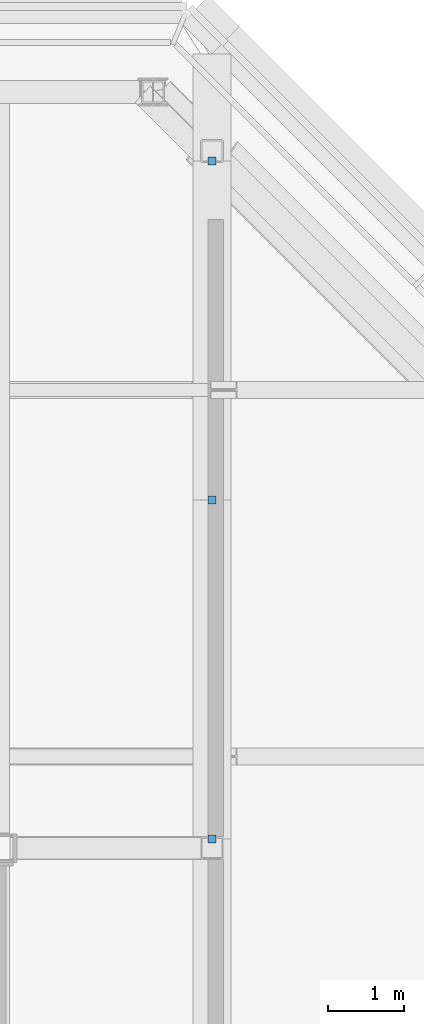
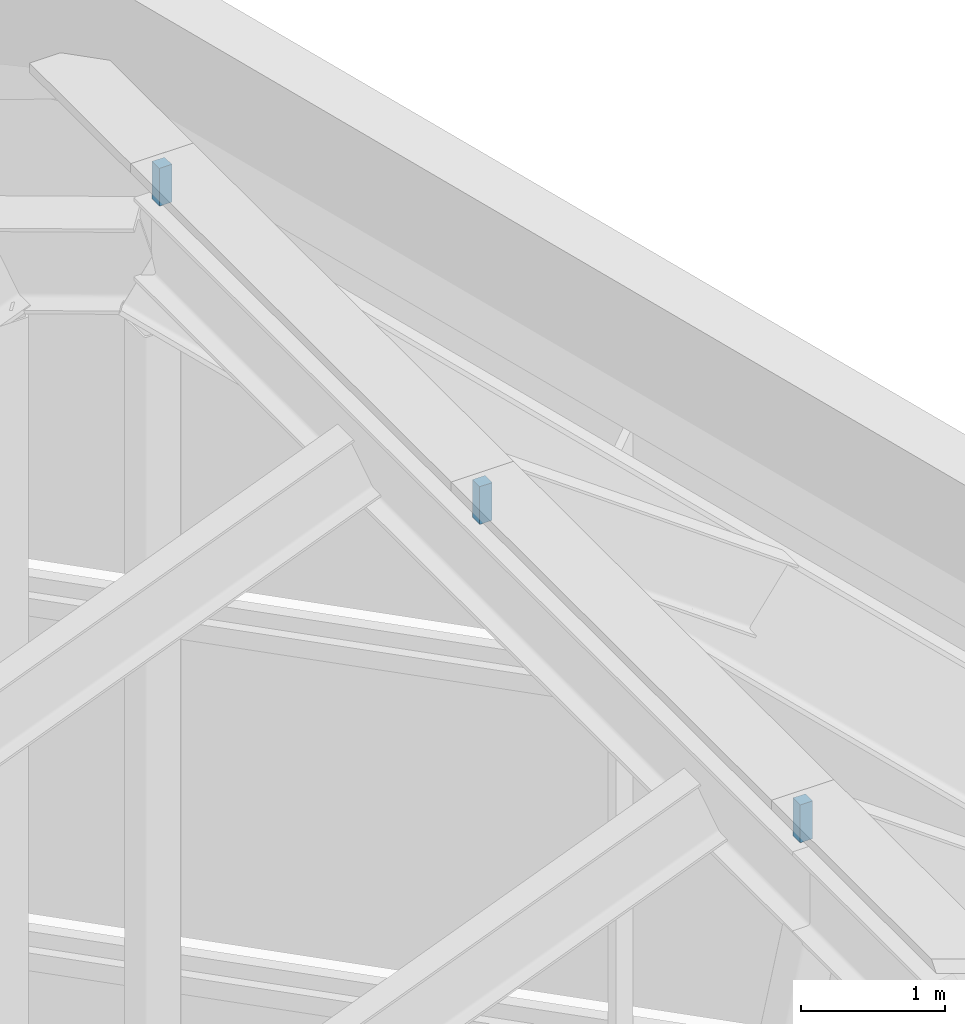
# One storey, part 12 of 21: 3 members.
"""IFC4 building model written with IfcOpenShell, lengths in metres."""

from ifc_helpers import new_model, si_unit, direction, frame, origin, origin_2d, place, context, subcontext, project, spatial, rectangle, extrude, material, material_profile, profile_set, type_object, element, save


model = new_model("IFC4")

# Units and contexts
model_context = context("Model", 3, precision=1e-05, world=origin(), true_north=direction((0.0, 1.0)))
body_context = subcontext(model_context, "Body", "Model", "MODEL_VIEW")
ifc_project = project(units=[si_unit("LENGTHUNIT", "METRE"), si_unit("AREAUNIT", "SQUARE_METRE"), si_unit("VOLUMEUNIT", "CUBIC_METRE"), si_unit("PLANEANGLEUNIT", "RADIAN"), si_unit("MASSUNIT", "GRAM", prefix="KILO")], contexts=[model_context])

# Site, building, storey
site_placement = place(None, origin())
site = spatial("IfcSite", under=ifc_project, at=site_placement, CompositionType="ELEMENT")
building_placement = place(site_placement, origin())
building = spatial("IfcBuilding", under=site, at=building_placement, Name="Cairn Pilgrim Tower", CompositionType="ELEMENT")
storey_placement = place(building_placement, frame((0.0, 0.0, 295.800048828125)))
storey = spatial("IfcBuildingStorey", under=building, at=storey_placement, Name="L76", CompositionType="ELEMENT", Elevation=295.800048828125)

# Members
ifc_material = material(Name="Structural steel S355J2", Category="steel")
ifc_material_profile = material_profile(ifc_material, rectangle(XDim=0.10009765625, YDim=0.10009765625, at=origin_2d()), Name="RIDGE POST 100x100 STEEL S355J2")
ifc_profile_set = profile_set([ifc_material_profile], Name="Structural steel S355J2")
member_type = type_object("IfcMemberType", Name="RIDGE POST 100x100 STEEL S355J2", PredefinedType="USERDEFINED", material=ifc_profile_set)
for number, where, z_axis, x_axis, name in (
    (1, (22.0, 13.318359375, 19.12060546875), (0.0, 0.0, 1.0), (1.0, 0.0, 0.0), "Ridge post 9"),
    (2, (22.0, 17.7578125, 19.12060546875), (0.0, 0.0, 1.0), (1.0, 0.0, 0.0), "Ridge post 10"),
    (3, (22.0, 22.197265625, 19.12060546875), (0.0, 0.0, 1.0), (1.0, 0.0, 0.0), "Ridge post 11"),
):
    element("IfcMember", number, at=place(storey_placement, frame(where, z_axis=z_axis, x_axis=x_axis)), inside=storey, type_object=member_type, Name=name, ObjectType="RIDGE POST", PredefinedType="USERDEFINED", context=body_context, shape_type="SweptSolid", body=[
        extrude(rectangle(XDim=0.10009765625, YDim=0.10009765625, at=origin_2d()), origin(), (0.0, 0.0, 1.0), 0.31982421875),
    ])

save(model, "model.ifc")
